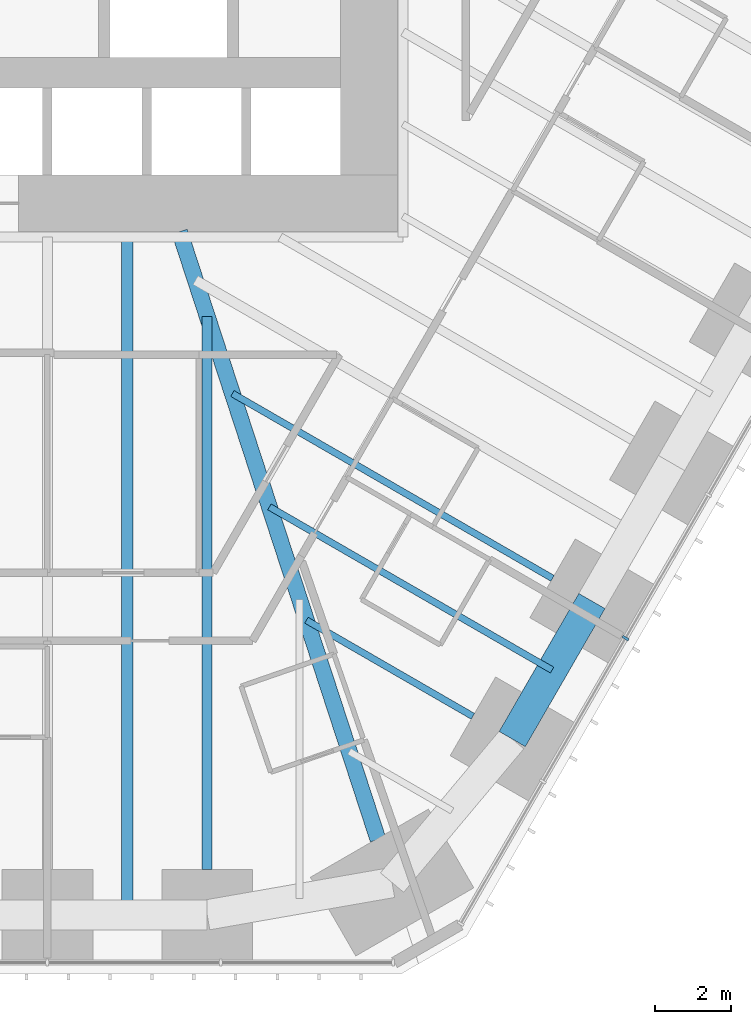
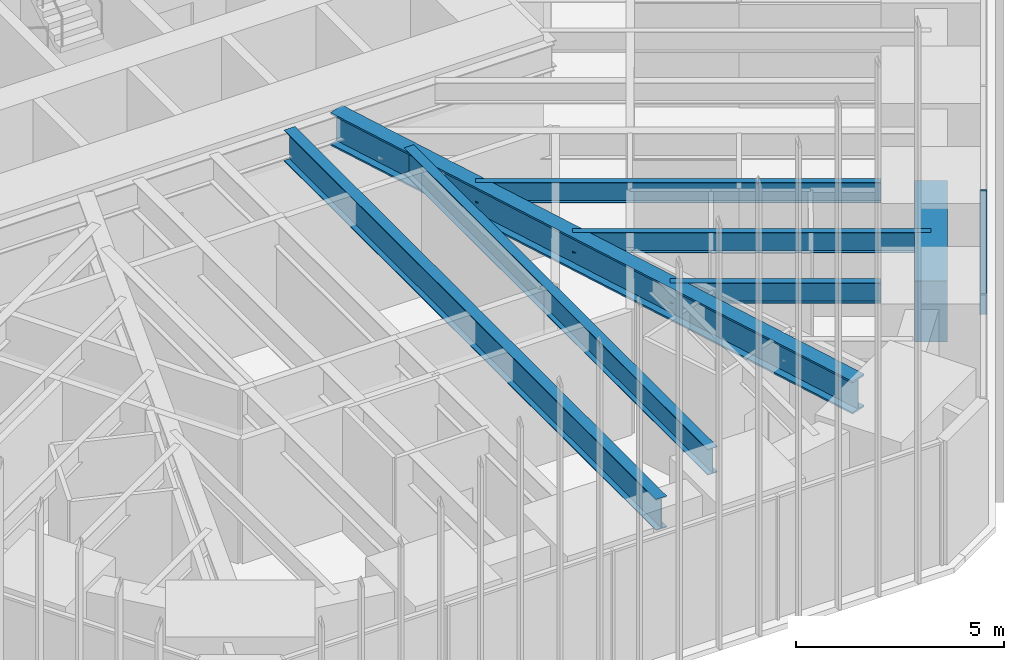
# One storey, part 90 of 256: 7 beams, 1 member, 1 element without a shape of its own.
"""IFC4 building model written with IfcOpenShell, lengths in metres."""

from ifc_helpers import new_model, si_unit, direction, frame, origin, origin_2d, place, context, subcontext, project, spatial, rectangle, i_section, extrude, material, material_profile, profile_set, type_object, element, aggregate, save


model = new_model("IFC4")

# Units and contexts
model_context = context("Model", 3, precision=1e-05, world=origin(), true_north=direction((0.0, 1.0)))
body_context = subcontext(model_context, "Body", "Model", "MODEL_VIEW")
ifc_project = project(units=[si_unit("LENGTHUNIT", "METRE"), si_unit("AREAUNIT", "SQUARE_METRE"), si_unit("VOLUMEUNIT", "CUBIC_METRE"), si_unit("PLANEANGLEUNIT", "RADIAN"), si_unit("MASSUNIT", "GRAM", prefix="KILO")], contexts=[model_context])

# Site, building, storey
site_placement = place(None, origin())
site = spatial("IfcSite", under=ifc_project, at=site_placement, CompositionType="ELEMENT")
building_placement = place(site_placement, origin())
building = spatial("IfcBuilding", under=site, at=building_placement, Name="Sandreach Pilgrim Tower", CompositionType="ELEMENT")
storey_placement = place(building_placement, frame((0.0, 0.0, 23.0)))
storey = spatial("IfcBuildingStorey", under=building, at=storey_placement, Name="L04", CompositionType="ELEMENT", Elevation=23.0)

# Curtain wall, member
ifc_material_1 = material(Name="Aluminium framed curtain wall", Category="aluminium")
curtain_wall_type = type_object("IfcCurtainWallType", Name="Hostel tower curtain wall", PredefinedType="NOTDEFINED", material=ifc_material_1)
curtain_wall_placement = place(storey_placement, origin())
curtain_wall = element("IfcCurtainWall", 1, at=curtain_wall_placement, inside=storey, type_object=curtain_wall_type, Name="CW-1 L04 SE", PredefinedType="NOTDEFINED")
ifc_material_2 = material(Name="Aluminium extrusion", Category="aluminium")
ifc_material_profile_1 = material_profile(ifc_material_2, rectangle(XDim=0.06494140625, YDim=0.179931640625, at=origin_2d()), Name="CW-1M 65X180")
ifc_profile_set_1 = profile_set([ifc_material_profile_1], Name="Aluminium extrusion")
member_type = type_object("IfcMemberType", Name="CW-1 mullion", PredefinedType="MULLION", material=ifc_profile_set_1)
member_placement = place(storey_placement, frame((15.275634765625, -21.439208984375, 0.0), z_axis=(0.0, 0.0, 1.0), x_axis=(-0.5, -0.866025403784, 0.0)))
member = element("IfcMember", 2, at=member_placement, type_object=member_type, Name="CW-1 mullion 8", PredefinedType="MULLION", context=body_context, shape_type="SweptSolid", body=[
    extrude(rectangle(XDim=0.06494140625, YDim=0.179931640625, at=origin_2d()), origin(), (0.0, 0.0, 1.0), 3.639892578125),
])
aggregate(curtain_wall, [member])

# Beams
ifc_material_3 = material(Name="Steel ASTM A992 Grade 50", Category="steel")
ifc_material_profile_2 = material_profile(ifc_material_3, i_section(OverallWidth=0.424072265625, OverallDepth=0.965087890625, WebThickness=0.028564453125, FlangeThickness=0.051025390625, at=origin_2d()), Name="W36X361")
ifc_profile_set_2 = profile_set([ifc_material_profile_2], Name="Steel ASTM A992 Grade 50")
beam_type_1 = type_object("IfcBeamType", Name="Corner girder W36X361", PredefinedType="BEAM", material=ifc_profile_set_2)
beam_1_placement = place(storey_placement, frame((8.73388671875, -26.756103515625, 3.157470703125), z_axis=(-0.310315410754, 0.950633654911, 0.0), x_axis=(-0.950633654911, -0.310315410754, 0.0)))
element("IfcBeam", 3, at=beam_1_placement, inside=storey, type_object=beam_type_1, Name="BM L04 CG22", PredefinedType="BEAM", context=body_context, shape_type="SweptSolid", body=[
    extrude(i_section(OverallWidth=0.424072265625, OverallDepth=0.965087890625, WebThickness=0.028564453125, FlangeThickness=0.051025390625, at=origin_2d()), origin(), (0.0, 0.0, 1.0), 16.889892578125),
])
ifc_material_4 = material(Name="Steel ASTM A992 Grade 50", Category="steel")
ifc_material_profile_3 = material_profile(ifc_material_4, i_section(OverallWidth=0.1787109375, OverallDepth=0.60205078125, WebThickness=0.010986328125, FlangeThickness=0.014892578125, at=origin_2d()), Name="W24X62")
ifc_profile_set_3 = profile_set([ifc_material_profile_3], Name="Steel ASTM A992 Grade 50")
beam_type_2 = type_object("IfcBeamType", Name="Floor beam W24X62", PredefinedType="BEAM", material=ifc_profile_set_3)
beam_2_placement = place(storey_placement, frame((13.347412109375, -19.859130859375, 3.339111328125), z_axis=(-0.866025751498, 0.499999397742, 0.0), x_axis=(-0.499999397742, -0.866025751498, 0.0)))
element("IfcBeam", 4, at=beam_2_placement, inside=storey, type_object=beam_type_2, Name="BM L04 F20", PredefinedType="BEAM", context=body_context, shape_type="SweptSolid", body=[
    extrude(i_section(OverallWidth=0.1787109375, OverallDepth=0.60205078125, WebThickness=0.010986328125, FlangeThickness=0.014892578125, at=origin_2d()), origin(), (0.0, 0.0, 1.0), 9.767578125),
])
beam_3_placement = place(storey_placement, frame((11.242431640625, -23.5048828125, 3.339111328125), z_axis=(-0.866027897259, 0.49999568115, 0.0), x_axis=(-0.49999568115, -0.866027897259, 0.0)))
element("IfcBeam", 5, at=beam_3_placement, inside=storey, type_object=beam_type_2, Name="BM L04 F21", PredefinedType="BEAM", context=body_context, shape_type="SweptSolid", body=[
    extrude(i_section(OverallWidth=0.1787109375, OverallDepth=0.60205078125, WebThickness=0.010986328125, FlangeThickness=0.014892578125, at=origin_2d()), origin(), (0.0, 0.0, 1.0), 5.0791015625),
])
beam_4_placement = place(storey_placement, frame((13.334228515625, -22.281982421875, 3.339111328125), z_axis=(-0.86602717807, 0.499996926835, 0.0), x_axis=(-0.499996926835, -0.86602717807, 0.0)))
element("IfcBeam", 6, at=beam_4_placement, inside=storey, type_object=beam_type_2, Name="BM L04 FM20", PredefinedType="BEAM", context=body_context, shape_type="SweptSolid", body=[
    extrude(i_section(OverallWidth=0.1787109375, OverallDepth=0.60205078125, WebThickness=0.010986328125, FlangeThickness=0.014892578125, at=origin_2d()), origin(), (0.0, 0.0, 1.0), 8.62353515625),
])
ifc_material_5 = material(Name="Steel ASTM A992 Grade 50", Category="steel")
ifc_material_profile_4 = material_profile(ifc_material_5, i_section(OverallWidth=0.2666015625, OverallDepth=0.761962890625, WebThickness=0.014404296875, FlangeThickness=0.021484375, at=origin_2d()), Name="W30X116")
ifc_profile_set_4 = profile_set([ifc_material_profile_4], Name="Steel ASTM A992 Grade 50")
beam_type_3 = type_object("IfcBeamType", Name="Floor beam W30X116", PredefinedType="BEAM", material=ifc_profile_set_4)
beam_5_placement = place(storey_placement, frame((4.222412109375, -27.55078125, 3.259033203125), z_axis=(0.0, 1.0, 0.0), x_axis=(-1.0, 0.0, 0.0)))
element("IfcBeam", 7, at=beam_5_placement, inside=storey, type_object=beam_type_3, Name="BM L04 F23", PredefinedType="BEAM", context=body_context, shape_type="SweptSolid", body=[
    extrude(i_section(OverallWidth=0.2666015625, OverallDepth=0.761962890625, WebThickness=0.014404296875, FlangeThickness=0.021484375, at=origin_2d()), origin(), (0.0, 0.0, 1.0), 14.61572265625),
])
ifc_material_6 = material(Name="Steel ASTM A992 Grade 50", Category="steel")
ifc_material_profile_5 = material_profile(ifc_material_6, i_section(OverallWidth=0.3046875, OverallDepth=0.914306640625, WebThickness=0.0166015625, FlangeThickness=0.02587890625, at=origin_2d()), Name="W36X160")
ifc_profile_set_5 = profile_set([ifc_material_profile_5], Name="Steel ASTM A992 Grade 50")
beam_type_4 = type_object("IfcBeamType", Name="Floor beam W36X160", PredefinedType="BEAM", material=ifc_profile_set_5)
beam_6_placement = place(storey_placement, frame((2.111083984375, -28.7509765625, 3.182861328125), z_axis=(0.0, 1.0, 0.0), x_axis=(-1.0, 0.0, 0.0)))
element("IfcBeam", 8, at=beam_6_placement, inside=storey, type_object=beam_type_4, Name="BM L04 FM23", PredefinedType="BEAM", context=body_context, shape_type="SweptSolid", body=[
    extrude(i_section(OverallWidth=0.3046875, OverallDepth=0.914306640625, WebThickness=0.0166015625, FlangeThickness=0.02587890625, at=origin_2d()), origin(), (0.0, 0.0, 1.0), 17.90771484375),
])
ifc_material_7 = material(Name="Concrete 10000 psi", Category="concrete")
ifc_material_profile_6 = material_profile(ifc_material_7, rectangle(XDim=0.800048828125, YDim=1.800048828125, at=origin_2d()), Name="RC800X1800")
ifc_profile_set_6 = profile_set([ifc_material_profile_6], Name="Concrete 10000 psi")
beam_type_5 = type_object("IfcBeamType", Name="Spandrel beam RC800X1800", PredefinedType="SPANDREL", material=ifc_profile_set_6)
beam_7_placement = place(storey_placement, frame((14.38671875, -20.458984375, 2.739990234375), z_axis=(-0.499993523031, -0.866029143232, 0.0), x_axis=(0.866029143232, -0.499993523031, 0.0)))
element("IfcBeam", 9, at=beam_7_placement, inside=storey, type_object=beam_type_5, Name="BM L04 SP20", PredefinedType="SPANDREL", context=body_context, shape_type="SweptSolid", body=[
    extrude(rectangle(XDim=0.800048828125, YDim=1.800048828125, at=origin_2d()), origin(), (0.0, 0.0, 1.0), 4.2099609375),
])

save(model, "model.ifc")
